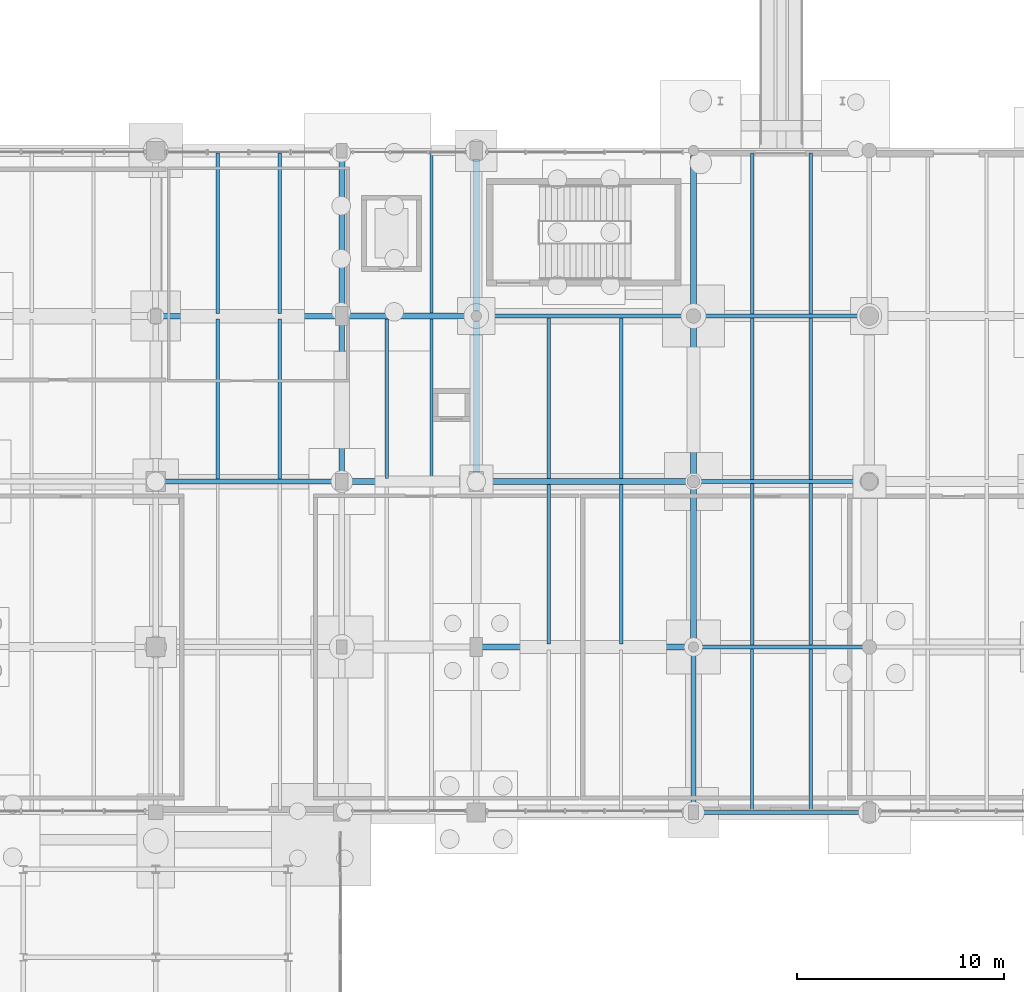
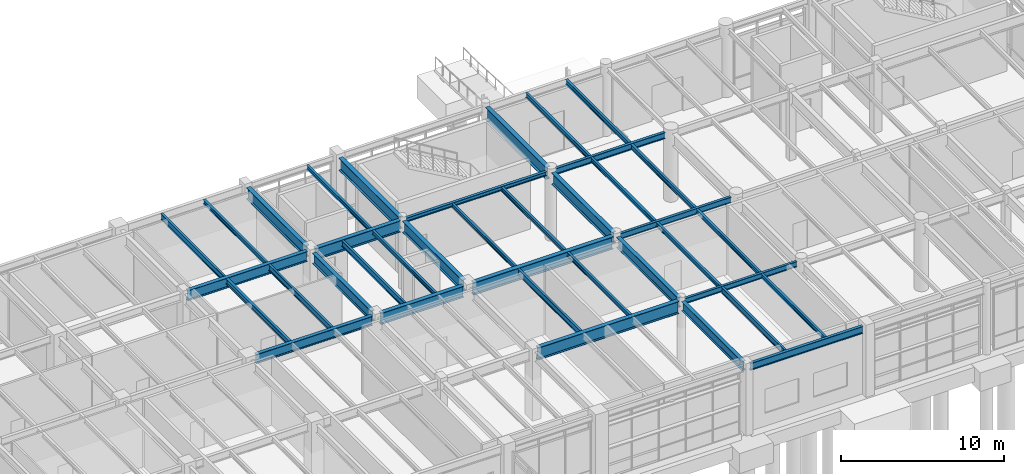
# One storey, part 130 of 203: 38 beams.
"""IFC4 building model written with IfcOpenShell, lengths in metres."""

from ifc_helpers import new_model, si_unit, direction, frame, origin, origin_2d, place, context, subcontext, project, spatial, i_section, extrude, material, material_profile, profile_set, type_object, element, save


model = new_model("IFC4")

# Units and contexts
model_context = context("Model", 3, precision=1e-05, world=origin(), true_north=direction((0.0, 1.0)))
body_context = subcontext(model_context, "Body", "Model", "MODEL_VIEW")
ifc_project = project(units=[si_unit("LENGTHUNIT", "METRE"), si_unit("AREAUNIT", "SQUARE_METRE"), si_unit("VOLUMEUNIT", "CUBIC_METRE"), si_unit("PLANEANGLEUNIT", "RADIAN"), si_unit("MASSUNIT", "GRAM", prefix="KILO"), si_unit("THERMODYNAMICTEMPERATUREUNIT", "KELVIN"), si_unit("POWERUNIT", "WATT")], contexts=[model_context])

# Site, building, storey
site_placement = place(None, origin())
site = spatial("IfcSite", under=ifc_project, at=site_placement, CompositionType="ELEMENT")
building_placement = place(site_placement, origin())
building = spatial("IfcBuilding", under=site, at=building_placement, Name="Tepalcoro Natatorium and Aquatics Centre", CompositionType="ELEMENT")
storey_placement = place(building_placement, origin())
storey = spatial("IfcBuildingStorey", under=building, at=storey_placement, Name="L00", CompositionType="ELEMENT", Elevation=0.0)

# Beams
ifc_material = material(Name="Steel ASTM A992 Grade 50 (Fy 345 MPa)", Category="steel")
ifc_material_profile_1 = material_profile(ifc_material, i_section(OverallWidth=0.202880859375, OverallDepth=0.304931640625, WebThickness=0.007080078125, FlangeThickness=0.012939453125, FilletRadius=0.013916015625, at=origin_2d()), Name="W12X40")
ifc_profile_set_1 = profile_set([ifc_material_profile_1], Name="Steel ASTM A992 Grade 50 (Fy 345 MPa)")
beam_type_1 = type_object("IfcBeamType", Name="BM_W12x40", PredefinedType="BEAM", material=ifc_profile_set_1)
beam_1_placement = place(storey_placement, frame((131.735107421875, 110.0, 4.972412109375), z_axis=(1.0, 0.0, 0.0), x_axis=(0.0, 1.0, 0.0)))
element("IfcBeam", 1, at=beam_1_placement, inside=storey, type_object=beam_type_1, Name="V5 L00 Grid Girder X", PredefinedType="BEAM", context=body_context, shape_type="SweptSolid", body=[
    extrude(i_section(OverallWidth=0.202880859375, OverallDepth=0.304931640625, WebThickness=0.007080078125, FlangeThickness=0.012939453125, FilletRadius=0.013916015625, at=origin_2d()), origin(), (0.0, 0.0, 1.0), 9.929931640625),
])
ifc_material_profile_2 = material_profile(ifc_material, i_section(OverallWidth=0.177978515625, OverallDepth=0.406005859375, WebThickness=0.008056640625, FlangeThickness=0.012939453125, FilletRadius=0.013916015625, at=origin_2d()), Name="W16X40")
ifc_profile_set_2 = profile_set([ifc_material_profile_2], Name="Steel ASTM A992 Grade 50 (Fy 345 MPa)")
beam_type_2 = type_object("IfcBeamType", Name="BM_W16x40", PredefinedType="BEAM", material=ifc_profile_set_2)
beam_2_placement = place(storey_placement, frame((142.235107421875, 94.0, 4.922119140625), z_axis=(1.0, 0.0, 0.0), x_axis=(0.0, 1.0, 0.0)))
element("IfcBeam", 2, at=beam_2_placement, inside=storey, type_object=beam_type_2, Name="V5 L00 Grid Girder X", PredefinedType="BEAM", context=body_context, shape_type="SweptSolid", body=[
    extrude(i_section(OverallWidth=0.177978515625, OverallDepth=0.406005859375, WebThickness=0.008056640625, FlangeThickness=0.012939453125, FilletRadius=0.013916015625, at=origin_2d()), origin(), (0.0, 0.0, 1.0), 7.929931640625),
])
ifc_material_profile_3 = material_profile(ifc_material, i_section(OverallWidth=0.19091796875, OverallDepth=0.45703125, WebThickness=0.009033203125, FlangeThickness=0.013916015625, FilletRadius=0.013916015625, at=origin_2d()), Name="W18X50")
ifc_profile_set_3 = profile_set([ifc_material_profile_3], Name="Steel ASTM A992 Grade 50 (Fy 345 MPa)")
beam_type_3 = type_object("IfcBeamType", Name="BM_W18x50", PredefinedType="BEAM", material=ifc_profile_set_3)
beam_3_placement = place(storey_placement, frame((142.284912109375, 102.0, 4.896484375), z_axis=(1.0, 0.0, 0.0), x_axis=(0.0, 1.0, 0.0)))
element("IfcBeam", 3, at=beam_3_placement, inside=storey, type_object=beam_type_3, Name="V5 L00 Grid Girder X", PredefinedType="BEAM", context=body_context, shape_type="SweptSolid", body=[
    extrude(i_section(OverallWidth=0.19091796875, OverallDepth=0.45703125, WebThickness=0.009033203125, FlangeThickness=0.013916015625, FilletRadius=0.013916015625, at=origin_2d()), origin(), (0.0, 0.0, 1.0), 7.830078125),
])
ifc_material_profile_4 = material_profile(ifc_material, i_section(OverallWidth=0.193115234375, OverallDepth=0.467041015625, WebThickness=0.010986328125, FlangeThickness=0.01904296875, FilletRadius=0.013916015625, at=origin_2d()), Name="W18X65")
ifc_profile_set_4 = profile_set([ifc_material_profile_4], Name="Steel ASTM A992 Grade 50 (Fy 345 MPa)")
beam_type_4 = type_object("IfcBeamType", Name="BM_W18x65", PredefinedType="BEAM", material=ifc_profile_set_4)
beam_4_placement = place(storey_placement, frame((142.3349609375, 110.0, 4.8916015625), z_axis=(1.0, 0.0, 0.0), x_axis=(0.0, 1.0, 0.0)))
element("IfcBeam", 4, at=beam_4_placement, inside=storey, type_object=beam_type_4, Name="V5 L00 Grid Girder X", PredefinedType="BEAM", context=body_context, shape_type="SweptSolid", body=[
    extrude(i_section(OverallWidth=0.193115234375, OverallDepth=0.467041015625, WebThickness=0.010986328125, FlangeThickness=0.01904296875, FilletRadius=0.013916015625, at=origin_2d()), origin(), (0.0, 0.0, 1.0), 7.72998046875),
])
ifc_material_profile_5 = material_profile(ifc_material, i_section(OverallWidth=0.25390625, OverallDepth=0.700927734375, WebThickness=0.014892578125, FlangeThickness=0.028076171875, FilletRadius=0.013916015625, at=origin_2d()), Name="W27X129")
ifc_profile_set_5 = profile_set([ifc_material_profile_5], Name="Steel ASTM A992 Grade 50 (Fy 345 MPa)")
beam_type_5 = type_object("IfcBeamType", Name="BM_W27x129", PredefinedType="BEAM", material=ifc_profile_set_5)
beam_5_placement = place(storey_placement, frame((116.4599609375, 102.0, 4.7744140625), z_axis=(1.0, 0.0, 0.0), x_axis=(0.0, 1.0, 0.0)))
element("IfcBeam", 5, at=beam_5_placement, inside=storey, type_object=beam_type_5, Name="V5 L00 Grid Girder X", PredefinedType="BEAM", context=body_context, shape_type="SweptSolid", body=[
    extrude(i_section(OverallWidth=0.25390625, OverallDepth=0.700927734375, WebThickness=0.014892578125, FlangeThickness=0.028076171875, FilletRadius=0.013916015625, at=origin_2d()), origin(), (0.0, 0.0, 1.0), 8.255126953125),
])
beam_6_placement = place(storey_placement, frame((142.0, 86.3349609375, 4.7744140625), z_axis=(0.0, 1.0, 0.0), x_axis=(-1.0, 0.0, 0.0)))
element("IfcBeam", 6, at=beam_6_placement, inside=storey, type_object=beam_type_5, Name="V5 L00 Grid Girder Y", PredefinedType="BEAM", context=body_context, shape_type="SweptSolid", body=[
    extrude(i_section(OverallWidth=0.25390625, OverallDepth=0.700927734375, WebThickness=0.014892578125, FlangeThickness=0.028076171875, FilletRadius=0.013916015625, at=origin_2d()), origin(), (0.0, 0.0, 1.0), 7.429931640625),
])
ifc_material_profile_6 = material_profile(ifc_material, i_section(OverallWidth=0.26708984375, OverallDepth=0.761962890625, WebThickness=0.013916015625, FlangeThickness=0.02197265625, FilletRadius=0.013916015625, at=origin_2d()), Name="W30X116")
ifc_profile_set_6 = profile_set([ifc_material_profile_6], Name="Steel ASTM A992 Grade 50 (Fy 345 MPa)")
beam_type_6 = type_object("IfcBeamType", Name="BM_W30x116", PredefinedType="BEAM", material=ifc_profile_set_6)
beam_7_placement = place(storey_placement, frame((116.235107421875, 110.0, 4.743896484375), z_axis=(1.0, 0.0, 0.0), x_axis=(0.0, 1.0, 0.0)))
element("IfcBeam", 7, at=beam_7_placement, inside=storey, type_object=beam_type_6, Name="V5 L00 Grid Girder X", PredefinedType="BEAM", context=body_context, shape_type="SweptSolid", body=[
    extrude(i_section(OverallWidth=0.26708984375, OverallDepth=0.761962890625, WebThickness=0.013916015625, FlangeThickness=0.02197265625, FilletRadius=0.013916015625, at=origin_2d()), origin(), (0.0, 0.0, 1.0), 8.47998046875),
])
ifc_material_profile_7 = material_profile(ifc_material, i_section(OverallWidth=0.26708984375, OverallDepth=0.780029296875, WebThickness=0.01708984375, FlangeThickness=0.030029296875, FilletRadius=0.013916015625, at=origin_2d()), Name="W30X148")
ifc_profile_set_7 = profile_set([ifc_material_profile_7], Name="Steel ASTM A992 Grade 50 (Fy 345 MPa)")
beam_type_7 = type_object("IfcBeamType", Name="BM_W30x148", PredefinedType="BEAM", material=ifc_profile_set_7)
beam_8_placement = place(storey_placement, frame((125.0, 102.385009765625, 4.735107421875), z_axis=(0.0, 1.0, 0.0), x_axis=(-1.0, 0.0, 0.0)))
element("IfcBeam", 8, at=beam_8_placement, inside=storey, type_object=beam_type_7, Name="V5 L00 Grid Girder Y", PredefinedType="BEAM", context=body_context, shape_type="SweptSolid", body=[
    extrude(i_section(OverallWidth=0.26708984375, OverallDepth=0.780029296875, WebThickness=0.01708984375, FlangeThickness=0.030029296875, FilletRadius=0.013916015625, at=origin_2d()), origin(), (0.0, 0.0, 1.0), 7.179931640625),
])
beam_9_placement = place(storey_placement, frame((142.0, 94.235107421875, 4.735107421875), z_axis=(0.0, 1.0, 0.0), x_axis=(-1.0, 0.0, 0.0)))
element("IfcBeam", 9, at=beam_9_placement, inside=storey, type_object=beam_type_7, Name="V5 L00 Grid Girder Y", PredefinedType="BEAM", context=body_context, shape_type="SweptSolid", body=[
    extrude(i_section(OverallWidth=0.26708984375, OverallDepth=0.780029296875, WebThickness=0.01708984375, FlangeThickness=0.030029296875, FilletRadius=0.013916015625, at=origin_2d()), origin(), (0.0, 0.0, 1.0), 7.47998046875),
])
ifc_material_profile_8 = material_profile(ifc_material, i_section(OverallWidth=0.2919921875, OverallDepth=0.845947265625, WebThickness=0.014892578125, FlangeThickness=0.02392578125, FilletRadius=0.013916015625, at=origin_2d()), Name="W33X141")
ifc_profile_set_8 = profile_set([ifc_material_profile_8], Name="Steel ASTM A992 Grade 50 (Fy 345 MPa)")
beam_type_8 = type_object("IfcBeamType", Name="BM_W33x141", PredefinedType="BEAM", material=ifc_profile_set_8)
beam_10_placement = place(storey_placement, frame((125.284912109375, 102.0, 4.701904296875), z_axis=(1.0, 0.0, 0.0), x_axis=(0.0, 1.0, 0.0)))
element("IfcBeam", 10, at=beam_10_placement, inside=storey, type_object=beam_type_8, Name="V5 L00 Grid Girder X", PredefinedType="BEAM", context=body_context, shape_type="SweptSolid", body=[
    extrude(i_section(OverallWidth=0.2919921875, OverallDepth=0.845947265625, WebThickness=0.014892578125, FlangeThickness=0.02392578125, FilletRadius=0.013916015625, at=origin_2d()), origin(), (0.0, 0.0, 1.0), 5.880126953125),
])
beam_11_placement = place(storey_placement, frame((131.5, 102.4599609375, 4.701904296875), z_axis=(0.0, 1.0, 0.0), x_axis=(-1.0, 0.0, 0.0)))
element("IfcBeam", 11, at=beam_11_placement, inside=storey, type_object=beam_type_8, Name="V5 L00 Grid Girder Y", PredefinedType="BEAM", context=body_context, shape_type="SweptSolid", body=[
    extrude(i_section(OverallWidth=0.2919921875, OverallDepth=0.845947265625, WebThickness=0.014892578125, FlangeThickness=0.02392578125, FilletRadius=0.013916015625, at=origin_2d()), origin(), (0.0, 0.0, 1.0), 7.304931640625),
])
ifc_material_profile_9 = material_profile(ifc_material, i_section(OverallWidth=0.2919921875, OverallDepth=0.85888671875, WebThickness=0.01708984375, FlangeThickness=0.031005859375, FilletRadius=0.013916015625, at=origin_2d()), Name="W33X169")
ifc_profile_set_9 = profile_set([ifc_material_profile_9], Name="Steel ASTM A992 Grade 50 (Fy 345 MPa)")
beam_type_9 = type_object("IfcBeamType", Name="BM_W33x169", PredefinedType="BEAM", material=ifc_profile_set_9)
beam_12_placement = place(storey_placement, frame((125.284912109375, 110.0, 4.695556640625), z_axis=(1.0, 0.0, 0.0), x_axis=(0.0, 1.0, 0.0)))
element("IfcBeam", 12, at=beam_12_placement, inside=storey, type_object=beam_type_9, Name="V5 L00 Grid Girder X", PredefinedType="BEAM", context=body_context, shape_type="SweptSolid", body=[
    extrude(i_section(OverallWidth=0.2919921875, OverallDepth=0.85888671875, WebThickness=0.01708984375, FlangeThickness=0.031005859375, FilletRadius=0.013916015625, at=origin_2d()), origin(), (0.0, 0.0, 1.0), 5.97998046875),
])
beam_13_placement = place(storey_placement, frame((125.0, 110.43505859375, 4.695556640625), z_axis=(0.0, 1.0, 0.0), x_axis=(-1.0, 0.0, 0.0)))
element("IfcBeam", 13, at=beam_13_placement, inside=storey, type_object=beam_type_9, Name="V5 L00 Grid Girder Y", PredefinedType="BEAM", context=body_context, shape_type="SweptSolid", body=[
    extrude(i_section(OverallWidth=0.2919921875, OverallDepth=0.85888671875, WebThickness=0.01708984375, FlangeThickness=0.031005859375, FilletRadius=0.013916015625, at=origin_2d()), origin(), (0.0, 0.0, 1.0), 7.22998046875),
])
beam_14_placement = place(storey_placement, frame((142.0, 102.284912109375, 4.695556640625), z_axis=(0.0, 1.0, 0.0), x_axis=(-1.0, 0.0, 0.0)))
element("IfcBeam", 14, at=beam_14_placement, inside=storey, type_object=beam_type_9, Name="V5 L00 Grid Girder Y", PredefinedType="BEAM", context=body_context, shape_type="SweptSolid", body=[
    extrude(i_section(OverallWidth=0.2919921875, OverallDepth=0.85888671875, WebThickness=0.01708984375, FlangeThickness=0.031005859375, FilletRadius=0.013916015625, at=origin_2d()), origin(), (0.0, 0.0, 1.0), 7.380126953125),
])
ifc_material_profile_10 = material_profile(ifc_material, i_section(OverallWidth=0.304931640625, OverallDepth=0.9189453125, WebThickness=0.01708984375, FlangeThickness=0.028076171875, FilletRadius=0.013916015625, at=origin_2d()), Name="W36X170")
ifc_profile_set_10 = profile_set([ifc_material_profile_10], Name="Steel ASTM A992 Grade 50 (Fy 345 MPa)")
beam_type_10 = type_object("IfcBeamType", Name="BM_W36x170", PredefinedType="BEAM", material=ifc_profile_set_10)
beam_15_placement = place(storey_placement, frame((131.784912109375, 94.0, 4.66552734375), z_axis=(1.0, 0.0, 0.0), x_axis=(0.0, 1.0, 0.0)))
element("IfcBeam", 15, at=beam_15_placement, inside=storey, type_object=beam_type_10, Name="V5 L00 Grid Girder X", PredefinedType="BEAM", context=body_context, shape_type="SweptSolid", body=[
    extrude(i_section(OverallWidth=0.304931640625, OverallDepth=0.9189453125, WebThickness=0.01708984375, FlangeThickness=0.028076171875, FilletRadius=0.013916015625, at=origin_2d()), origin(), (0.0, 0.0, 1.0), 9.97998046875),
])
beam_16_placement = place(storey_placement, frame((131.5, 110.235107421875, 4.66552734375), z_axis=(0.0, 1.0, 0.0), x_axis=(-1.0, 0.0, 0.0)))
element("IfcBeam", 16, at=beam_16_placement, inside=storey, type_object=beam_type_10, Name="V5 L00 Grid Girder Y", PredefinedType="BEAM", context=body_context, shape_type="SweptSolid", body=[
    extrude(i_section(OverallWidth=0.304931640625, OverallDepth=0.9189453125, WebThickness=0.01708984375, FlangeThickness=0.028076171875, FilletRadius=0.013916015625, at=origin_2d()), origin(), (0.0, 0.0, 1.0), 7.329833984375),
])
ifc_material_profile_11 = material_profile(ifc_material, i_section(OverallWidth=0.31005859375, OverallDepth=0.931884765625, WebThickness=0.02099609375, FlangeThickness=0.034912109375, FilletRadius=0.013916015625, at=origin_2d()), Name="W36X210")
ifc_profile_set_11 = profile_set([ifc_material_profile_11], Name="Steel ASTM A992 Grade 50 (Fy 345 MPa)")
beam_type_11 = type_object("IfcBeamType", Name="BM_W36x210", PredefinedType="BEAM", material=ifc_profile_set_11)
beam_17_placement = place(storey_placement, frame((131.8349609375, 102.0, 4.658935546875), z_axis=(1.0, 0.0, 0.0), x_axis=(0.0, 1.0, 0.0)))
element("IfcBeam", 17, at=beam_17_placement, inside=storey, type_object=beam_type_11, Name="V5 L00 Grid Girder X", PredefinedType="BEAM", context=body_context, shape_type="SweptSolid", body=[
    extrude(i_section(OverallWidth=0.31005859375, OverallDepth=0.931884765625, WebThickness=0.02099609375, FlangeThickness=0.034912109375, FilletRadius=0.013916015625, at=origin_2d()), origin(), (0.0, 0.0, 1.0), 9.880126953125),
])
beam_18_placement = place(storey_placement, frame((142.0, 110.3349609375, 4.658935546875), z_axis=(0.0, 1.0, 0.0), x_axis=(-1.0, 0.0, 0.0)))
element("IfcBeam", 18, at=beam_18_placement, inside=storey, type_object=beam_type_11, Name="V5 L00 Grid Girder Y", PredefinedType="BEAM", context=body_context, shape_type="SweptSolid", body=[
    extrude(i_section(OverallWidth=0.31005859375, OverallDepth=0.931884765625, WebThickness=0.02099609375, FlangeThickness=0.034912109375, FilletRadius=0.013916015625, at=origin_2d()), origin(), (0.0, 0.0, 1.0), 7.429931640625),
])
ifc_material_profile_12 = material_profile(ifc_material, i_section(OverallWidth=0.1650390625, OverallDepth=0.31005859375, WebThickness=0.006103515625, FlangeThickness=0.010009765625, FilletRadius=0.013916015625, at=origin_2d()), Name="W12X26")
ifc_profile_set_12 = profile_set([ifc_material_profile_12], Name="Steel ASTM A992 Grade 50 (Fy 345 MPa)")
beam_type_12 = type_object("IfcBeamType", Name="JS_W12x26", PredefinedType="JOIST", material=ifc_profile_set_12)
beam_19_placement = place(storey_placement, frame((122.0, 110.133544921875, 4.969970703125), z_axis=(0.0, 1.0, 0.0), x_axis=(-1.0, 0.0, 0.0)))
element("IfcBeam", 19, at=beam_19_placement, inside=storey, type_object=beam_type_12, Name="V5 L00 Floor Joist", PredefinedType="JOIST", context=body_context, shape_type="SweptSolid", body=[
    extrude(i_section(OverallWidth=0.1650390625, OverallDepth=0.31005859375, WebThickness=0.006103515625, FlangeThickness=0.010009765625, FilletRadius=0.013916015625, at=origin_2d()), origin(), (0.0, 0.0, 1.0), 7.751953125),
])
beam_20_placement = place(storey_placement, frame((129.333251953125, 102.14599609375, 4.969970703125), z_axis=(0.0, 1.0, 0.0), x_axis=(-1.0, 0.0, 0.0)))
element("IfcBeam", 20, at=beam_20_placement, inside=storey, type_object=beam_type_12, Name="V5 L00 Floor Joist", PredefinedType="JOIST", context=body_context, shape_type="SweptSolid", body=[
    extrude(i_section(OverallWidth=0.1650390625, OverallDepth=0.31005859375, WebThickness=0.006103515625, FlangeThickness=0.010009765625, FilletRadius=0.013916015625, at=origin_2d()), origin(), (0.0, 0.0, 1.0), 7.7080078125),
])
beam_21_placement = place(storey_placement, frame((138.5, 94.152587890625, 4.969970703125), z_axis=(0.0, 1.0, 0.0), x_axis=(-1.0, 0.0, 0.0)))
element("IfcBeam", 21, at=beam_21_placement, inside=storey, type_object=beam_type_12, Name="V5 L00 Floor Joist", PredefinedType="JOIST", context=body_context, shape_type="SweptSolid", body=[
    extrude(i_section(OverallWidth=0.1650390625, OverallDepth=0.31005859375, WebThickness=0.006103515625, FlangeThickness=0.010009765625, FilletRadius=0.013916015625, at=origin_2d()), origin(), (0.0, 0.0, 1.0), 7.6923828125),
])
beam_22_placement = place(storey_placement, frame((135.0, 102.155029296875, 4.969970703125), z_axis=(0.0, 1.0, 0.0), x_axis=(-1.0, 0.0, 0.0)))
element("IfcBeam", 22, at=beam_22_placement, inside=storey, type_object=beam_type_12, Name="V5 L00 Floor Joist", PredefinedType="JOIST", context=body_context, shape_type="SweptSolid", body=[
    extrude(i_section(OverallWidth=0.1650390625, OverallDepth=0.31005859375, WebThickness=0.006103515625, FlangeThickness=0.010009765625, FilletRadius=0.013916015625, at=origin_2d()), origin(), (0.0, 0.0, 1.0), 7.743408203125),
])
beam_23_placement = place(storey_placement, frame((147.666748046875, 86.10498046875, 4.969970703125), z_axis=(0.0, 1.0, 0.0), x_axis=(-1.0, 0.0, 0.0)))
element("IfcBeam", 23, at=beam_23_placement, inside=storey, type_object=beam_type_12, Name="V5 L00 Floor Joist", PredefinedType="JOIST", context=body_context, shape_type="SweptSolid", body=[
    extrude(i_section(OverallWidth=0.1650390625, OverallDepth=0.31005859375, WebThickness=0.006103515625, FlangeThickness=0.010009765625, FilletRadius=0.013916015625, at=origin_2d()), origin(), (0.0, 0.0, 1.0), 7.805908203125),
])
beam_24_placement = place(storey_placement, frame((144.833251953125, 94.089111328125, 4.969970703125), z_axis=(0.0, 1.0, 0.0), x_axis=(-1.0, 0.0, 0.0)))
element("IfcBeam", 24, at=beam_24_placement, inside=storey, type_object=beam_type_12, Name="V5 L00 Floor Joist", PredefinedType="JOIST", context=body_context, shape_type="SweptSolid", body=[
    extrude(i_section(OverallWidth=0.1650390625, OverallDepth=0.31005859375, WebThickness=0.006103515625, FlangeThickness=0.010009765625, FilletRadius=0.013916015625, at=origin_2d()), origin(), (0.0, 0.0, 1.0), 7.8154296875),
])
ifc_material_profile_13 = material_profile(ifc_material, i_section(OverallWidth=0.1669921875, OverallDepth=0.318115234375, WebThickness=0.008056640625, FlangeThickness=0.012939453125, FilletRadius=0.013916015625, at=origin_2d()), Name="W12X35")
ifc_profile_set_13 = profile_set([ifc_material_profile_13], Name="Steel ASTM A992 Grade 50 (Fy 345 MPa)")
beam_type_13 = type_object("IfcBeamType", Name="JS_W12x35", PredefinedType="JOIST", material=ifc_profile_set_13)
beam_25_placement = place(storey_placement, frame((129.333251953125, 110.14599609375, 4.966064453125), z_axis=(0.0, 1.0, 0.0), x_axis=(-1.0, 0.0, 0.0)))
element("IfcBeam", 25, at=beam_25_placement, inside=storey, type_object=beam_type_13, Name="V5 L00 Floor Joist", PredefinedType="JOIST", context=body_context, shape_type="SweptSolid", body=[
    extrude(i_section(OverallWidth=0.1669921875, OverallDepth=0.318115234375, WebThickness=0.008056640625, FlangeThickness=0.012939453125, FilletRadius=0.013916015625, at=origin_2d()), origin(), (0.0, 0.0, 1.0), 7.763916015625),
])
beam_26_placement = place(storey_placement, frame((138.5, 102.155029296875, 4.966064453125), z_axis=(0.0, 1.0, 0.0), x_axis=(-1.0, 0.0, 0.0)))
element("IfcBeam", 26, at=beam_26_placement, inside=storey, type_object=beam_type_13, Name="V5 L00 Floor Joist", PredefinedType="JOIST", context=body_context, shape_type="SweptSolid", body=[
    extrude(i_section(OverallWidth=0.1669921875, OverallDepth=0.318115234375, WebThickness=0.008056640625, FlangeThickness=0.012939453125, FilletRadius=0.013916015625, at=origin_2d()), origin(), (0.0, 0.0, 1.0), 7.743408203125),
])
beam_27_placement = place(storey_placement, frame((147.666748046875, 94.089111328125, 4.966064453125), z_axis=(0.0, 1.0, 0.0), x_axis=(-1.0, 0.0, 0.0)))
element("IfcBeam", 27, at=beam_27_placement, inside=storey, type_object=beam_type_13, Name="V5 L00 Floor Joist", PredefinedType="JOIST", context=body_context, shape_type="SweptSolid", body=[
    extrude(i_section(OverallWidth=0.1669921875, OverallDepth=0.318115234375, WebThickness=0.008056640625, FlangeThickness=0.012939453125, FilletRadius=0.013916015625, at=origin_2d()), origin(), (0.0, 0.0, 1.0), 7.8154296875),
])
beam_28_placement = place(storey_placement, frame((144.833251953125, 102.095458984375, 4.966064453125), z_axis=(0.0, 1.0, 0.0), x_axis=(-1.0, 0.0, 0.0)))
element("IfcBeam", 28, at=beam_28_placement, inside=storey, type_object=beam_type_13, Name="V5 L00 Floor Joist", PredefinedType="JOIST", context=body_context, shape_type="SweptSolid", body=[
    extrude(i_section(OverallWidth=0.1669921875, OverallDepth=0.318115234375, WebThickness=0.008056640625, FlangeThickness=0.012939453125, FilletRadius=0.013916015625, at=origin_2d()), origin(), (0.0, 0.0, 1.0), 7.80810546875),
])
ifc_material_profile_14 = material_profile(ifc_material, i_section(OverallWidth=0.1708984375, OverallDepth=0.35107421875, WebThickness=0.007080078125, FlangeThickness=0.010009765625, FilletRadius=0.013916015625, at=origin_2d()), Name="W14X30")
ifc_profile_set_14 = profile_set([ifc_material_profile_14], Name="Steel ASTM A992 Grade 50 (Fy 345 MPa)")
beam_type_14 = type_object("IfcBeamType", Name="JS_W14x30", PredefinedType="JOIST", material=ifc_profile_set_14)
beam_29_placement = place(storey_placement, frame((147.666748046875, 102.095458984375, 4.949462890625), z_axis=(0.0, 1.0, 0.0), x_axis=(-1.0, 0.0, 0.0)))
element("IfcBeam", 29, at=beam_29_placement, inside=storey, type_object=beam_type_14, Name="V5 L00 Floor Joist", PredefinedType="JOIST", context=body_context, shape_type="SweptSolid", body=[
    extrude(i_section(OverallWidth=0.1708984375, OverallDepth=0.35107421875, WebThickness=0.007080078125, FlangeThickness=0.010009765625, FilletRadius=0.013916015625, at=origin_2d()), origin(), (0.0, 0.0, 1.0), 7.80810546875),
])
beam_30_placement = place(storey_placement, frame((144.833251953125, 110.096435546875, 4.949462890625), z_axis=(0.0, 1.0, 0.0), x_axis=(-1.0, 0.0, 0.0)))
element("IfcBeam", 30, at=beam_30_placement, inside=storey, type_object=beam_type_14, Name="V5 L00 Floor Joist", PredefinedType="JOIST", context=body_context, shape_type="SweptSolid", body=[
    extrude(i_section(OverallWidth=0.1708984375, OverallDepth=0.35107421875, WebThickness=0.007080078125, FlangeThickness=0.010009765625, FilletRadius=0.013916015625, at=origin_2d()), origin(), (0.0, 0.0, 1.0), 7.798583984375),
])
ifc_material_profile_15 = material_profile(ifc_material, i_section(OverallWidth=0.172119140625, OverallDepth=0.35791015625, WebThickness=0.008056640625, FlangeThickness=0.012939453125, FilletRadius=0.013916015625, at=origin_2d()), Name="W14X38")
ifc_profile_set_15 = profile_set([ifc_material_profile_15], Name="Steel ASTM A992 Grade 50 (Fy 345 MPa)")
beam_type_15 = type_object("IfcBeamType", Name="JS_W14x38", PredefinedType="JOIST", material=ifc_profile_set_15)
beam_31_placement = place(storey_placement, frame((147.666748046875, 110.096435546875, 4.946044921875), z_axis=(0.0, 1.0, 0.0), x_axis=(-1.0, 0.0, 0.0)))
element("IfcBeam", 31, at=beam_31_placement, inside=storey, type_object=beam_type_15, Name="V5 L00 Floor Joist", PredefinedType="JOIST", context=body_context, shape_type="SweptSolid", body=[
    extrude(i_section(OverallWidth=0.172119140625, OverallDepth=0.35791015625, WebThickness=0.008056640625, FlangeThickness=0.012939453125, FilletRadius=0.013916015625, at=origin_2d()), origin(), (0.0, 0.0, 1.0), 7.798583984375),
])
ifc_material_profile_16 = material_profile(ifc_material, i_section(OverallWidth=0.178955078125, OverallDepth=0.409912109375, WebThickness=0.009033203125, FlangeThickness=0.013916015625, FilletRadius=0.013916015625, at=origin_2d()), Name="W16X45")
ifc_profile_set_16 = profile_set([ifc_material_profile_16], Name="Steel ASTM A992 Grade 50 (Fy 345 MPa)")
beam_type_16 = type_object("IfcBeamType", Name="JS_W16x45", PredefinedType="JOIST", material=ifc_profile_set_16)
beam_32_placement = place(storey_placement, frame((119.0, 102.126953125, 4.919921875), z_axis=(0.0, 1.0, 0.0), x_axis=(-1.0, 0.0, 0.0)))
element("IfcBeam", 32, at=beam_32_placement, inside=storey, type_object=beam_type_16, Name="V5 L00 Floor Joist", PredefinedType="JOIST", context=body_context, shape_type="SweptSolid", body=[
    extrude(i_section(OverallWidth=0.178955078125, OverallDepth=0.409912109375, WebThickness=0.009033203125, FlangeThickness=0.013916015625, FilletRadius=0.013916015625, at=origin_2d()), origin(), (0.0, 0.0, 1.0), 7.739501953125),
])
ifc_material_profile_17 = material_profile(ifc_material, i_section(OverallWidth=0.153076171875, OverallDepth=0.455078125, WebThickness=0.008056640625, FlangeThickness=0.012939453125, FilletRadius=0.013916015625, at=origin_2d()), Name="W18X40")
ifc_profile_set_17 = profile_set([ifc_material_profile_17], Name="Steel ASTM A992 Grade 50 (Fy 345 MPa)")
beam_type_17 = type_object("IfcBeamType", Name="JS_W18x40", PredefinedType="JOIST", material=ifc_profile_set_17)
beam_33_placement = place(storey_placement, frame((122.0, 102.126953125, 4.8974609375), z_axis=(0.0, 1.0, 0.0), x_axis=(-1.0, 0.0, 0.0)))
element("IfcBeam", 33, at=beam_33_placement, inside=storey, type_object=beam_type_17, Name="V5 L00 Floor Joist", PredefinedType="JOIST", context=body_context, shape_type="SweptSolid", body=[
    extrude(i_section(OverallWidth=0.153076171875, OverallDepth=0.455078125, WebThickness=0.008056640625, FlangeThickness=0.012939453125, FilletRadius=0.013916015625, at=origin_2d()), origin(), (0.0, 0.0, 1.0), 7.739501953125),
])
beam_34_placement = place(storey_placement, frame((119.0, 110.133544921875, 4.8974609375), z_axis=(0.0, 1.0, 0.0), x_axis=(-1.0, 0.0, 0.0)))
element("IfcBeam", 34, at=beam_34_placement, inside=storey, type_object=beam_type_17, Name="V5 L00 Floor Joist", PredefinedType="JOIST", context=body_context, shape_type="SweptSolid", body=[
    extrude(i_section(OverallWidth=0.153076171875, OverallDepth=0.455078125, WebThickness=0.008056640625, FlangeThickness=0.012939453125, FilletRadius=0.013916015625, at=origin_2d()), origin(), (0.0, 0.0, 1.0), 7.751953125),
])
beam_35_placement = place(storey_placement, frame((127.166748046875, 102.14599609375, 4.8974609375), z_axis=(0.0, 1.0, 0.0), x_axis=(-1.0, 0.0, 0.0)))
element("IfcBeam", 35, at=beam_35_placement, inside=storey, type_object=beam_type_17, Name="V5 L00 Floor Joist", PredefinedType="JOIST", context=body_context, shape_type="SweptSolid", body=[
    extrude(i_section(OverallWidth=0.153076171875, OverallDepth=0.455078125, WebThickness=0.008056640625, FlangeThickness=0.012939453125, FilletRadius=0.013916015625, at=origin_2d()), origin(), (0.0, 0.0, 1.0), 7.7080078125),
])
beam_36_placement = place(storey_placement, frame((135.0, 94.152587890625, 4.8974609375), z_axis=(0.0, 1.0, 0.0), x_axis=(-1.0, 0.0, 0.0)))
element("IfcBeam", 36, at=beam_36_placement, inside=storey, type_object=beam_type_17, Name="V5 L00 Floor Joist", PredefinedType="JOIST", context=body_context, shape_type="SweptSolid", body=[
    extrude(i_section(OverallWidth=0.153076171875, OverallDepth=0.455078125, WebThickness=0.008056640625, FlangeThickness=0.012939453125, FilletRadius=0.013916015625, at=origin_2d()), origin(), (0.0, 0.0, 1.0), 7.6923828125),
])
beam_37_placement = place(storey_placement, frame((144.833251953125, 86.10498046875, 4.8974609375), z_axis=(0.0, 1.0, 0.0), x_axis=(-1.0, 0.0, 0.0)))
element("IfcBeam", 37, at=beam_37_placement, inside=storey, type_object=beam_type_17, Name="V5 L00 Floor Joist", PredefinedType="JOIST", context=body_context, shape_type="SweptSolid", body=[
    extrude(i_section(OverallWidth=0.153076171875, OverallDepth=0.455078125, WebThickness=0.008056640625, FlangeThickness=0.012939453125, FilletRadius=0.013916015625, at=origin_2d()), origin(), (0.0, 0.0, 1.0), 7.805908203125),
])
ifc_material_profile_18 = material_profile(ifc_material, i_section(OverallWidth=0.2099609375, OverallDepth=0.535888671875, WebThickness=0.010986328125, FlangeThickness=0.01708984375, FilletRadius=0.013916015625, at=origin_2d()), Name="W21X68")
ifc_profile_set_18 = profile_set([ifc_material_profile_18], Name="Steel ASTM A992 Grade 50 (Fy 345 MPa)")
beam_type_18 = type_object("IfcBeamType", Name="SP_W21x68", PredefinedType="SPANDREL", material=ifc_profile_set_18)
beam_38_placement = place(storey_placement, frame((142.235107421875, 86.0, 4.85693359375), z_axis=(1.0, 0.0, 0.0), x_axis=(0.0, 1.0, 0.0)))
element("IfcBeam", 38, at=beam_38_placement, inside=storey, type_object=beam_type_18, Name="V5 L00 Grid Girder X", PredefinedType="SPANDREL", context=body_context, shape_type="SweptSolid", body=[
    extrude(i_section(OverallWidth=0.2099609375, OverallDepth=0.535888671875, WebThickness=0.010986328125, FlangeThickness=0.01708984375, FilletRadius=0.013916015625, at=origin_2d()), origin(), (0.0, 0.0, 1.0), 7.97998046875),
])

save(model, "model.ifc")
